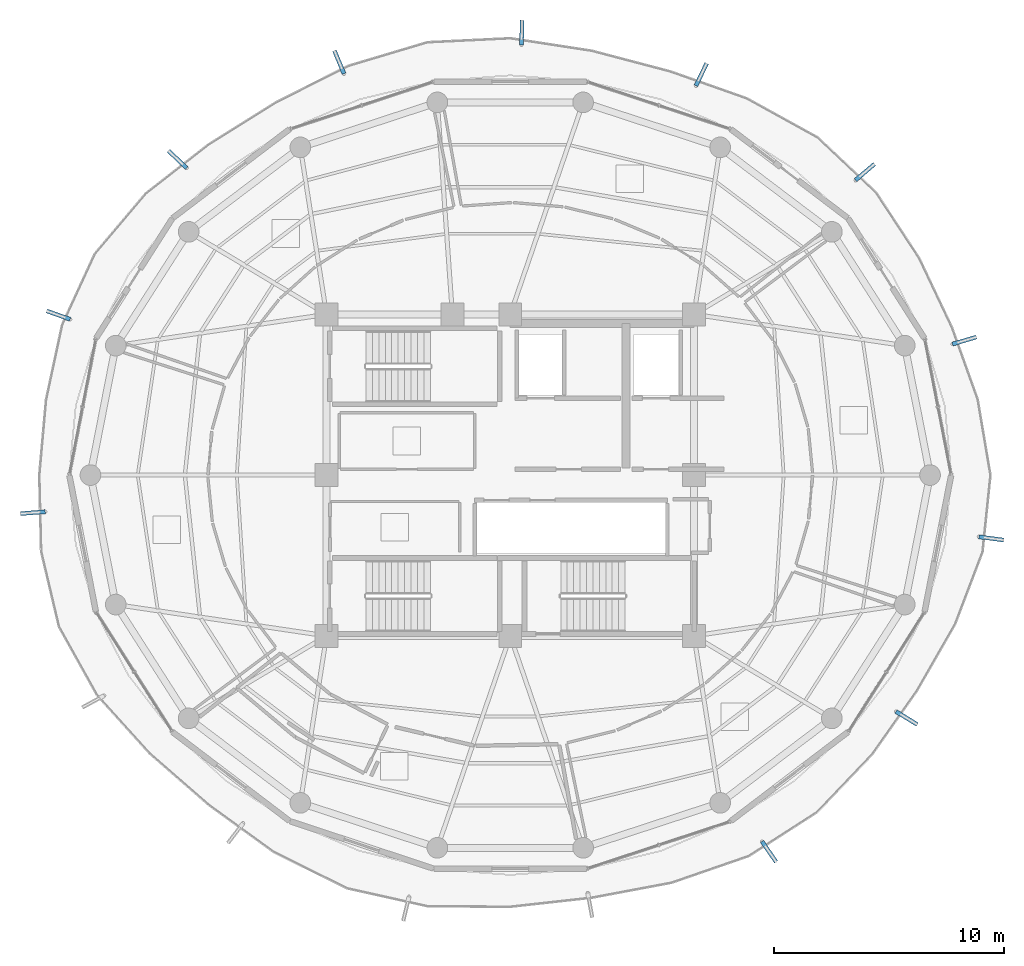
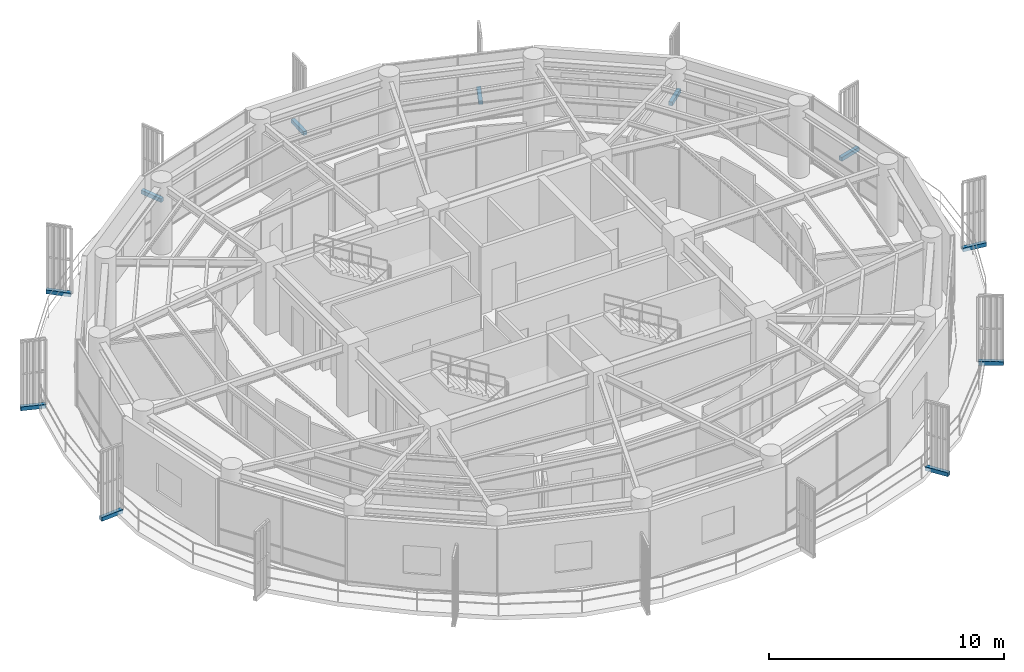
# One storey, part 19 of 23: 11 discrete accessories.
"""IFC4 building model written with IfcOpenShell, lengths in metres."""

from ifc_helpers import new_model, si_unit, direction, frame, origin, origin_2d, place, context, subcontext, project, spatial, rectangle, extrude, source, transform, mapped, material, type_object, element, save


model = new_model("IFC4")

# Units and contexts
model_context = context("Model", 3, precision=1e-05, world=origin(), true_north=direction((0.0, 1.0)))
body_context = subcontext(model_context, "Body", "Model", "MODEL_VIEW")
ifc_project = project(units=[si_unit("LENGTHUNIT", "METRE"), si_unit("AREAUNIT", "SQUARE_METRE"), si_unit("VOLUMEUNIT", "CUBIC_METRE"), si_unit("PLANEANGLEUNIT", "RADIAN"), si_unit("MASSUNIT", "GRAM", prefix="KILO")], contexts=[model_context])

# Site, building, storey
site_placement = place(None, origin())
site = spatial("IfcSite", under=ifc_project, at=site_placement, CompositionType="ELEMENT")
building_placement = place(site_placement, origin())
building = spatial("IfcBuilding", under=site, at=building_placement, Name="Kelanora Arch Commons", CompositionType="ELEMENT")
storey_placement = place(building_placement, frame((0.0, 0.0, 286.199951171875)))
storey = spatial("IfcBuildingStorey", under=building, at=storey_placement, Name="L73", CompositionType="ELEMENT", Elevation=286.199951171875)

# Discrete accessories
ifc_material = material(Name="Stainless steel 316 marine fin bracket", Category="steel")
discrete_accessory_type = type_object("IfcDiscreteAccessoryType", Name="ACC-FIN-BRK", PredefinedType="BRACKET", material=ifc_material)
shared_shape = source(origin(), body_context, "Body", "SweptSolid", [
    extrude(rectangle(XDim=1.081787109375, YDim=0.179931640625, at=origin_2d()), origin(), (0.0, 0.0, 1.0), 0.199951171875),
])
for number, where, z_axis, x_axis, name in (
    (1, (94.943115234375, 55.2431640625, -0.16015625), (0.0, 0.0, 1.0), (0.991444861374, -0.13052619222, 0.0), "Sweeping Fin Cantilever Spine Bracket L73-00"),
    (2, (93.774169921875, 63.857666015625, -0.16015625), (0.0, 0.0, 1.0), (0.958819734868, 0.284015344704, 0.0), "Sweeping Fin Cantilever Spine Bracket L73-01"),
    (3, (89.44775390625, 71.194091796875, -0.16015625), (0.0, 0.0, 1.0), (0.7604059656, 0.64944804833, 0.0), "Sweeping Fin Cantilever Spine Bracket L73-02"),
    (4, (82.318115234375, 75.43994140625, -0.16015625), (0.0, 0.0, 1.0), (0.430511096808, 0.90258528435, 0.0), "Sweeping Fin Cantilever Spine Bracket L73-03"),
    (5, (74.504150390625, 77.266357421875, -0.16015625), (0.0, 0.0, 1.0), (0.026176948308, 0.999657324976, 0.0), "Sweeping Fin Cantilever Spine Bracket L73-04"),
    (6, (66.552978515625, 75.977783203125, -0.16015625), (0.0, 0.0, 1.0), (-0.382683432365, 0.923879532511, 0.0), "Sweeping Fin Cantilever Spine Bracket L73-05"),
    (7, (59.51416015625, 71.74609375, -0.16015625), (0.0, 0.0, 1.0), (-0.725374371012, 0.688354575694, 0.0), "Sweeping Fin Cantilever Spine Bracket L73-06"),
    (8, (54.32958984375, 64.96533203125, -0.16015625), (0.0, 0.0, 1.0), (-0.942641491092, 0.333806859234, 0.0), "Sweeping Fin Cantilever Spine Bracket L73-07"),
    (9, (53.21240234375, 56.36376953125, -0.16015625), (0.0, 0.0, 1.0), (-0.996917333733, -0.078459095728, 0.0), "Sweeping Fin Cantilever Spine Bracket L73-08"),
    (10, (85.26904296875, 41.60400390625, -0.16015625), (0.0, 0.0, 1.0), (0.566406236925, -0.824126188622, 0.0), "Sweeping Fin Cantilever Spine Bracket L73-13"),
    (11, (91.258544921875, 47.42431640625, -0.16015625), (0.0, 0.0, 1.0), (0.852640164354, -0.522498564716, 0.0), "Sweeping Fin Cantilever Spine Bracket L73-14"),
):
    element("IfcDiscreteAccessory", number, at=place(storey_placement, frame(where, z_axis=z_axis, x_axis=x_axis)), inside=storey, type_object=discrete_accessory_type, Name=name, PredefinedType="BRACKET", context=body_context, shape_type="MappedRepresentation", body=[
        mapped(shared_shape, transform((0.0, 0.0, 0.0), scale=1.0)),
    ])

save(model, "model.ifc")
